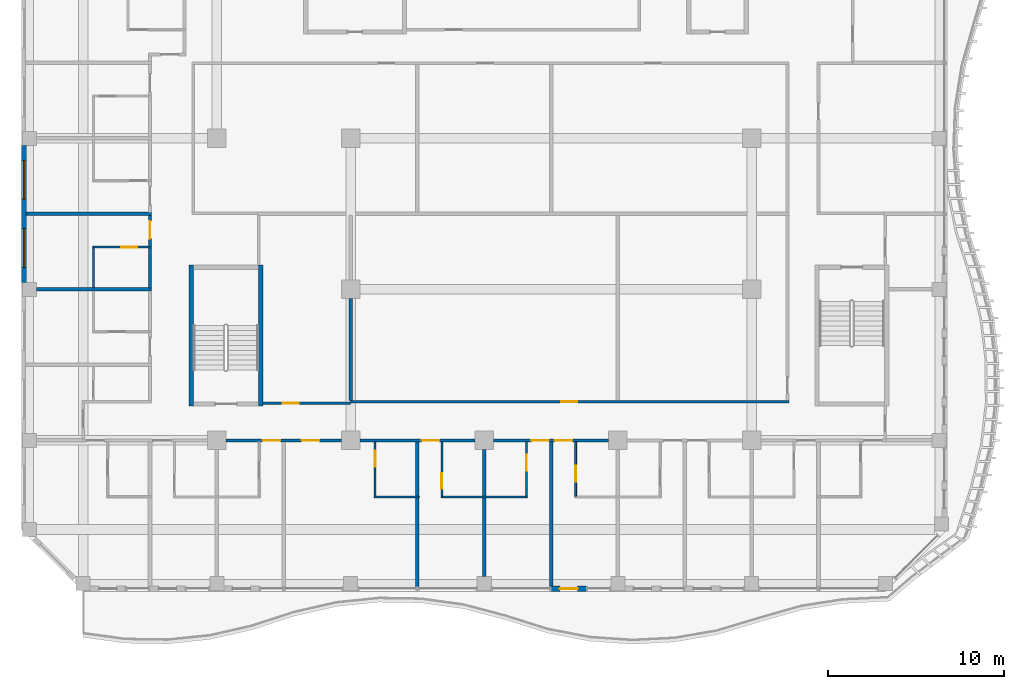
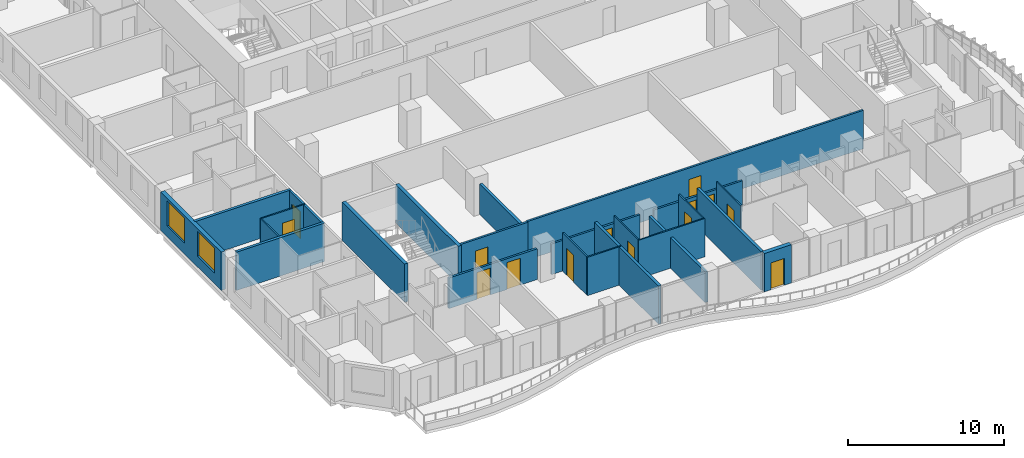
# One storey, part 11 of 24: 27 walls, 14 doors, 2 windows, 16 openings.
"""IFC4 building model written with IfcOpenShell, lengths in metres."""

from ifc_helpers import new_model, si_unit, direction, frame, frame_2d, origin, place, context, subcontext, project, spatial, rectangle, extrude, source, transform, mapped, material, layer, layer_set, type_object, element, fill, save


model = new_model("IFC4")

# Units and contexts
model_context = context("Model", 3, precision=1e-05, world=origin(), true_north=direction((0.0, 1.0)))
body_context = subcontext(model_context, "Body", "Model", "MODEL_VIEW")
ifc_project = project(units=[si_unit("LENGTHUNIT", "METRE"), si_unit("AREAUNIT", "SQUARE_METRE"), si_unit("VOLUMEUNIT", "CUBIC_METRE"), si_unit("PLANEANGLEUNIT", "RADIAN"), si_unit("MASSUNIT", "GRAM", prefix="KILO")], contexts=[model_context])

# Site, building, storey
site_placement = place(None, origin())
site = spatial("IfcSite", under=ifc_project, at=site_placement, CompositionType="ELEMENT")
building_placement = place(site_placement, origin())
building = spatial("IfcBuilding", under=site, at=building_placement, Name="Kilnfold Tower and Market Hall", CompositionType="ELEMENT")
storey_placement = place(building_placement, frame((0.0, 0.0, 192.300048828125)))
storey = spatial("IfcBuildingStorey", under=building, at=storey_placement, Name="L46", CompositionType="ELEMENT", Elevation=192.300048828125)

# Wall, openings, doors
ifc_material_1 = material(Name="Gypsum board on steel studs", Category="steel")
ifc_layer_1 = layer(ifc_material_1, 0.14990234375)
ifc_layer_set_1 = layer_set([ifc_layer_1], Name="Gypsum board on steel studs")
wall_type_1 = type_object("IfcWallType", Name="WALL CORRIDOR 150", PredefinedType="PARTITIONING", material=ifc_layer_set_1)
wall_1_placement = place(storey_placement, frame((-15.64208984375, -17.699951171875, 0.0), z_axis=(0.0, 0.0, 1.0), x_axis=(1.0, 0.0, 0.0)))
wall_1 = element("IfcWall", 1, at=wall_1_placement, inside=storey, type_object=wall_type_1, Name="Partition LY28.2", PredefinedType="PARTITIONING", context=body_context, shape_type="SweptSolid", body=[
    extrude(rectangle(XDim=6.5341796875, YDim=0.14990234375, at=frame_2d((3.26708984375, 0.0))), origin(), (0.0, 0.0, 1.0), 2.39990234375),
])
opening_1_placement = place(wall_1_placement, frame((2.076904296875, 0.0, 0.0)))
opening_1 = element("IfcOpeningElement", 2, at=opening_1_placement, cuts=wall_1, Name="Opening D1", PredefinedType="OPENING", context=body_context, shape_type="SweptSolid", body=[
    extrude(rectangle(XDim=1.0, YDim=2.10009765625, at=frame_2d((0.5, 1.050048828125))), frame((0.0, 0.0849609375, 0.0), z_axis=(0.0, -1.0, 0.0), x_axis=(1.0, 0.0, 0.0)), (0.0, 0.0, 1.0), 0.169921875),
])
opening_2_placement = place(wall_1_placement, frame((4.291015625, 0.0, 0.0)))
opening_2 = element("IfcOpeningElement", 3, at=opening_2_placement, cuts=wall_1, Name="Opening D1", PredefinedType="OPENING", context=body_context, shape_type="SweptSolid", body=[
    extrude(rectangle(XDim=1.0, YDim=2.10009765625, at=frame_2d((0.5, 1.050048828125))), frame((0.0, 0.0849609375, 0.0), z_axis=(0.0, -1.0, 0.0), x_axis=(1.0, 0.0, 0.0)), (0.0, 0.0, 1.0), 0.169921875),
])
ifc_material_2 = material(Name="Timber veneer door leaf in steel frame", Category="steel")
door_type_1 = type_object("IfcDoorType", Name="DOOR ENTRY 1000 X2100", OperationType="NOTDEFINED", PredefinedType="DOOR", material=ifc_material_2)
door_1_placement = place(opening_1_placement, origin())
door_1 = element("IfcDoor", 4, at=door_1_placement, inside=storey, type_object=door_type_1, Name="Door D1", OperationType="SINGLE_SWING_RIGHT", OverallHeight=2.10009765625, OverallWidth=1.0, PredefinedType="DOOR", context=body_context, shape_type="SweptSolid", body=[
    extrude(rectangle(XDim=1.0, YDim=2.10009765625, at=frame_2d((0.5, 1.050048828125))), frame((0.0, 0.02490234375, 0.0), z_axis=(0.0, -1.0, 0.0), x_axis=(1.0, 0.0, 0.0)), (0.0, 0.0, 1.0), 0.050048828125),
])
fill(opening_1, door_1)
door_2_placement = place(opening_2_placement, origin())
door_2 = element("IfcDoor", 5, at=door_2_placement, inside=storey, type_object=door_type_1, Name="Door D1", OperationType="SINGLE_SWING_LEFT", OverallHeight=2.10009765625, OverallWidth=1.0, PredefinedType="DOOR", context=body_context, shape_type="SweptSolid", body=[
    extrude(rectangle(XDim=1.0, YDim=2.10009765625, at=frame_2d((0.5, 1.050048828125))), frame((0.0, 0.02490234375, 0.0), z_axis=(0.0, -1.0, 0.0), x_axis=(1.0, 0.0, 0.0)), (0.0, 0.0, 1.0), 0.050048828125),
])
fill(opening_2, door_2)

# Wall, opening, door
wall_2_placement = place(storey_placement, frame((-8.05810546875, -17.699951171875, 0.0), z_axis=(0.0, 0.0, 1.0), x_axis=(1.0, 0.0, 0.0)))
wall_2 = element("IfcWall", 6, at=wall_2_placement, inside=storey, type_object=wall_type_1, Name="Partition LY28.3", PredefinedType="PARTITIONING", context=body_context, shape_type="SweptSolid", body=[
    extrude(rectangle(XDim=6.533203125, YDim=0.14990234375, at=frame_2d((3.2666015625, 0.0))), origin(), (0.0, 0.0, 1.0), 2.39990234375),
])
opening_3_placement = place(wall_2_placement, frame((3.51806640625, 0.0, 0.0)))
opening_3 = element("IfcOpeningElement", 7, at=opening_3_placement, cuts=wall_2, Name="Opening D1", PredefinedType="OPENING", context=body_context, shape_type="SweptSolid", body=[
    extrude(rectangle(XDim=1.0, YDim=2.10009765625, at=frame_2d((0.5, 1.050048828125))), frame((0.0, 0.0849609375, 0.0), z_axis=(0.0, -1.0, 0.0), x_axis=(1.0, 0.0, 0.0)), (0.0, 0.0, 1.0), 0.169921875),
])
door_3_placement = place(opening_3_placement, origin())
door_3 = element("IfcDoor", 8, at=door_3_placement, inside=storey, type_object=door_type_1, Name="Door D1", OperationType="SINGLE_SWING_RIGHT", OverallHeight=2.10009765625, OverallWidth=1.0, PredefinedType="DOOR", context=body_context, shape_type="SweptSolid", body=[
    extrude(rectangle(XDim=1.0, YDim=2.10009765625, at=frame_2d((0.5, 1.050048828125))), frame((0.0, 0.02490234375, 0.0), z_axis=(0.0, -1.0, 0.0), x_axis=(1.0, 0.0, 0.0)), (0.0, 0.0, 1.0), 0.050048828125),
])
fill(opening_3, door_3)

# Wall, openings, doors
wall_3_placement = place(storey_placement, frame((-0.47509765625, -17.699951171875, 0.0), z_axis=(0.0, 0.0, 1.0), x_axis=(1.0, 0.0, 0.0)))
wall_3 = element("IfcWall", 9, at=wall_3_placement, inside=storey, type_object=wall_type_1, Name="Partition LY28.4", PredefinedType="PARTITIONING", context=body_context, shape_type="SweptSolid", body=[
    extrude(rectangle(XDim=6.533203125, YDim=0.14990234375, at=frame_2d((3.2666015625, 0.0))), origin(), (0.0, 0.0, 1.0), 2.39990234375),
])
opening_4_placement = place(wall_3_placement, frame((2.14697265625, 0.0, 0.0)))
opening_4 = element("IfcOpeningElement", 10, at=opening_4_placement, cuts=wall_3, Name="Opening D1", PredefinedType="OPENING", context=body_context, shape_type="SweptSolid", body=[
    extrude(rectangle(XDim=1.0, YDim=2.10009765625, at=frame_2d((0.5, 1.050048828125))), frame((0.0, 0.0849609375, 0.0), z_axis=(0.0, -1.0, 0.0), x_axis=(1.0, 0.0, 0.0)), (0.0, 0.0, 1.0), 0.169921875),
])
opening_5_placement = place(wall_3_placement, frame((3.468017578125, 0.0, 0.0)))
opening_5 = element("IfcOpeningElement", 11, at=opening_5_placement, cuts=wall_3, Name="Opening D1", PredefinedType="OPENING", context=body_context, shape_type="SweptSolid", body=[
    extrude(rectangle(XDim=1.0, YDim=2.10009765625, at=frame_2d((0.5, 1.050048828125))), frame((0.0, 0.0849609375, 0.0), z_axis=(0.0, -1.0, 0.0), x_axis=(1.0, 0.0, 0.0)), (0.0, 0.0, 1.0), 0.169921875),
])
door_4_placement = place(opening_4_placement, origin())
door_4 = element("IfcDoor", 12, at=door_4_placement, inside=storey, type_object=door_type_1, Name="Door D1", OperationType="SINGLE_SWING_RIGHT", OverallHeight=2.10009765625, OverallWidth=1.0, PredefinedType="DOOR", context=body_context, shape_type="SweptSolid", body=[
    extrude(rectangle(XDim=1.0, YDim=2.10009765625, at=frame_2d((0.5, 1.050048828125))), frame((0.0, 0.02490234375, 0.0), z_axis=(0.0, -1.0, 0.0), x_axis=(1.0, 0.0, 0.0)), (0.0, 0.0, 1.0), 0.050048828125),
])
fill(opening_4, door_4)
door_5_placement = place(opening_5_placement, origin())
door_5 = element("IfcDoor", 13, at=door_5_placement, inside=storey, type_object=door_type_1, Name="Door D1", OperationType="SINGLE_SWING_RIGHT", OverallHeight=2.10009765625, OverallWidth=1.0, PredefinedType="DOOR", context=body_context, shape_type="SweptSolid", body=[
    extrude(rectangle(XDim=1.0, YDim=2.10009765625, at=frame_2d((0.5, 1.050048828125))), frame((0.0, 0.02490234375, 0.0), z_axis=(0.0, -1.0, 0.0), x_axis=(1.0, 0.0, 0.0)), (0.0, 0.0, 1.0), 0.050048828125),
])
fill(opening_5, door_5)

# Wall, opening, door
wall_4_placement = place(storey_placement, frame((-19.958984375, -6.68505859375, 0.0), z_axis=(0.0, 0.0, 1.0), x_axis=(0.0, 1.0, 0.0)))
wall_4 = element("IfcWall", 14, at=wall_4_placement, inside=storey, type_object=wall_type_1, Name="Partition LY28.12", PredefinedType="PARTITIONING", context=body_context, shape_type="SweptSolid", body=[
    extrude(rectangle(XDim=1.751953125, YDim=0.14990234375, at=frame_2d((0.8759765625, 0.0))), origin(), (0.0, 0.0, 1.0), 3.0),
])
opening_6_placement = place(wall_4_placement, frame((0.43505859375, 0.0, 0.0)))
opening_6 = element("IfcOpeningElement", 15, at=opening_6_placement, cuts=wall_4, Name="Opening D1", PredefinedType="OPENING", context=body_context, shape_type="SweptSolid", body=[
    extrude(rectangle(XDim=1.0, YDim=2.10009765625, at=frame_2d((0.5, 1.050048828125))), frame((0.0, 0.0849609375, 0.0), z_axis=(0.0, -1.0, 0.0), x_axis=(1.0, 0.0, 0.0)), (0.0, 0.0, 1.0), 0.169921875),
])
door_6_placement = place(opening_6_placement, origin())
door_6 = element("IfcDoor", 16, at=door_6_placement, inside=storey, type_object=door_type_1, Name="Door D1", OperationType="SINGLE_SWING_RIGHT", OverallHeight=2.10009765625, OverallWidth=1.0, PredefinedType="DOOR", context=body_context, shape_type="SweptSolid", body=[
    extrude(rectangle(XDim=1.0, YDim=2.10009765625, at=frame_2d((0.5, 1.050048828125))), frame((0.0, 0.02490234375, 0.0), z_axis=(0.0, -1.0, 0.0), x_axis=(1.0, 0.0, 0.0)), (0.0, 0.0, 1.0), 0.050048828125),
])
fill(opening_6, door_6)

# Wall
wall_5_placement = place(storey_placement, frame((-19.958984375, -9.034912109375, 0.0), z_axis=(0.0, 0.0, 1.0), x_axis=(0.0, 1.0, 0.0)))
element("IfcWall", 17, at=wall_5_placement, inside=storey, type_object=wall_type_1, Name="Partition LY28.13", PredefinedType="PARTITIONING", context=body_context, shape_type="SweptSolid", body=[
    extrude(rectangle(XDim=2.27001953125, YDim=0.14990234375, at=frame_2d((1.135009765625, 0.0))), origin(), (0.0, 0.0, 1.0), 3.0),
])

# Wall, opening, door
wall_6_placement = place(storey_placement, frame((-8.572998046875, -15.574951171875, 0.0), z_axis=(0.0, 0.0, 1.0), x_axis=(-1.0, 0.0, 0.0)))
wall_6 = element("IfcWall", 18, at=wall_6_placement, inside=storey, type_object=wall_type_1, Name="Partition LY28.47", PredefinedType="PARTITIONING", context=body_context, shape_type="SweptSolid", body=[
    extrude(rectangle(XDim=4.97705078125, YDim=0.14990234375, at=frame_2d((2.488525390625, 0.0))), origin(), (0.0, 0.0, 1.0), 3.0),
])
opening_7_placement = place(wall_6_placement, frame((2.9580078125, 0.0, 0.0)))
opening_7 = element("IfcOpeningElement", 19, at=opening_7_placement, cuts=wall_6, Name="Opening D2", PredefinedType="OPENING", context=body_context, shape_type="SweptSolid", body=[
    extrude(rectangle(XDim=0.89990234375, YDim=2.10009765625, at=frame_2d((0.449951171875, 1.050048828125))), frame((0.0, 0.0849609375, 0.0), z_axis=(0.0, -1.0, 0.0), x_axis=(1.0, 0.0, 0.0)), (0.0, 0.0, 1.0), 0.169921875),
])
ifc_material_3 = material(Name="Timber veneer door leaf in steel frame", Category="steel")
door_type_2 = type_object("IfcDoorType", Name="DOOR ROOM 900 X2100", OperationType="NOTDEFINED", PredefinedType="DOOR", material=ifc_material_3)
door_7_placement = place(opening_7_placement, origin())
door_7 = element("IfcDoor", 20, at=door_7_placement, inside=storey, type_object=door_type_2, Name="Door D2", OperationType="SINGLE_SWING_RIGHT", OverallHeight=2.10009765625, OverallWidth=0.89990234375, PredefinedType="DOOR", context=body_context, shape_type="SweptSolid", body=[
    extrude(rectangle(XDim=0.89990234375, YDim=2.10009765625, at=frame_2d((0.449951171875, 1.050048828125))), frame((0.0, 0.02490234375, 0.0), z_axis=(0.0, -1.0, 0.0), x_axis=(1.0, 0.0, 0.0)), (0.0, 0.0, 1.0), 0.050048828125),
])
fill(opening_7, door_7)

wall_7_placement = place(storey_placement, frame((-8.593017578125, -15.5, 0.0), z_axis=(0.0, 0.0, 1.0), x_axis=(1.0, 0.0, 0.0)))
wall_7 = element("IfcWall", 21, at=wall_7_placement, inside=storey, type_object=wall_type_1, Name="Partition LY28.48", PredefinedType="PARTITIONING", context=body_context, shape_type="SweptSolid", body=[
    extrude(rectangle(XDim=24.867919921875, YDim=0.14990234375, at=frame_2d((12.43408203125, 0.0))), origin(), (0.0, 0.0, 1.0), 3.0),
])
opening_8_placement = place(wall_7_placement, frame((11.972900390625, 0.0, 0.0)))
opening_8 = element("IfcOpeningElement", 22, at=opening_8_placement, cuts=wall_7, Name="Opening D2", PredefinedType="OPENING", context=body_context, shape_type="SweptSolid", body=[
    extrude(rectangle(XDim=0.89990234375, YDim=2.10009765625, at=frame_2d((0.449951171875, 1.050048828125))), frame((0.0, 0.0849609375, 0.0), z_axis=(0.0, -1.0, 0.0), x_axis=(1.0, 0.0, 0.0)), (0.0, 0.0, 1.0), 0.169921875),
])
door_8_placement = place(opening_8_placement, origin())
door_8 = element("IfcDoor", 23, at=door_8_placement, inside=storey, type_object=door_type_2, Name="Door D2", OperationType="SINGLE_SWING_RIGHT", OverallHeight=2.10009765625, OverallWidth=0.89990234375, PredefinedType="DOOR", context=body_context, shape_type="SweptSolid", body=[
    extrude(rectangle(XDim=0.89990234375, YDim=2.10009765625, at=frame_2d((0.449951171875, 1.050048828125))), frame((0.0, 0.02490234375, 0.0), z_axis=(0.0, -1.0, 0.0), x_axis=(1.0, 0.0, 0.0)), (0.0, 0.0, 1.0), 0.050048828125),
])
fill(opening_8, door_8)

ifc_material_4 = material(Name="Gypsum board on steel studs", Category="steel")
ifc_layer_2 = layer(ifc_material_4, 0.10009765625)
ifc_layer_set_2 = layer_set([ifc_layer_2], Name="Gypsum board on steel studs")
wall_type_2 = type_object("IfcWallType", Name="WALL PARTITION 100", PredefinedType="PARTITIONING", material=ifc_layer_set_2)
wall_8_placement = place(storey_placement, frame((-7.19189453125, -20.85205078125, 0.0), z_axis=(0.0, 0.0, 1.0), x_axis=(0.0, 1.0, 0.0)))
wall_8 = element("IfcWall", 24, at=wall_8_placement, inside=storey, type_object=wall_type_2, Name="Partition LY28.61", PredefinedType="PARTITIONING", context=body_context, shape_type="SweptSolid", body=[
    extrude(rectangle(XDim=3.074951171875, YDim=0.10009765625, at=frame_2d((1.53759765625, 0.0))), origin(), (0.0, 0.0, 1.0), 3.0),
])
opening_9_placement = place(wall_8_placement, frame((1.662109375, 0.0, 0.0)))
opening_9 = element("IfcOpeningElement", 25, at=opening_9_placement, cuts=wall_8, Name="Opening D3", PredefinedType="OPENING", context=body_context, shape_type="SweptSolid", body=[
    extrude(rectangle(XDim=0.89990234375, YDim=2.10009765625, at=frame_2d((0.449951171875, 1.050048828125))), frame((0.0, 0.06005859375, 0.0), z_axis=(0.0, -1.0, 0.0), x_axis=(1.0, 0.0, 0.0)), (0.0, 0.0, 1.0), 0.1201171875),
])
ifc_material_5 = material(Name="Timber veneer door leaf in steel frame", Category="steel")
door_type_3 = type_object("IfcDoorType", Name="DOOR WC 900 X2100", OperationType="NOTDEFINED", PredefinedType="DOOR", material=ifc_material_5)
door_9_placement = place(opening_9_placement, origin())
door_9 = element("IfcDoor", 26, at=door_9_placement, inside=storey, type_object=door_type_3, Name="Door D3", OperationType="SINGLE_SWING_LEFT", OverallHeight=2.10009765625, OverallWidth=0.89990234375, PredefinedType="DOOR", context=body_context, shape_type="SweptSolid", body=[
    extrude(rectangle(XDim=0.89990234375, YDim=2.10009765625, at=frame_2d((0.449951171875, 1.050048828125))), frame((0.0, 0.02490234375, 0.0), z_axis=(0.0, -1.0, 0.0), x_axis=(1.0, 0.0, 0.0)), (0.0, 0.0, 1.0), 0.050048828125),
])
fill(opening_9, door_9)

# Wall
wall_9_placement = place(storey_placement, frame((-7.241943359375, -20.902099609375, 0.0), z_axis=(0.0, 0.0, 1.0), x_axis=(1.0, 0.0, 0.0)))
element("IfcWall", 27, at=wall_9_placement, inside=storey, type_object=wall_type_2, Name="Partition LY28.62", PredefinedType="PARTITIONING", context=body_context, shape_type="SweptSolid", body=[
    extrude(rectangle(XDim=2.550048828125, YDim=0.10009765625, at=frame_2d((1.27490234375, 0.0))), origin(), (0.0, 0.0, 1.0), 3.0),
])

# Wall, opening, door
wall_10_placement = place(storey_placement, frame((-3.39990234375, -20.85205078125, 0.0), z_axis=(0.0, 0.0, 1.0), x_axis=(0.0, 1.0, 0.0)))
wall_10 = element("IfcWall", 28, at=wall_10_placement, inside=storey, type_object=wall_type_2, Name="Partition LY28.65", PredefinedType="PARTITIONING", context=body_context, shape_type="SweptSolid", body=[
    extrude(rectangle(XDim=3.074951171875, YDim=0.10009765625, at=frame_2d((1.53759765625, 0.0))), origin(), (0.0, 0.0, 1.0), 3.0),
])
opening_10_placement = place(wall_10_placement, frame((0.408935546875, 0.0, 0.0)))
opening_10 = element("IfcOpeningElement", 29, at=opening_10_placement, cuts=wall_10, Name="Opening D3", PredefinedType="OPENING", context=body_context, shape_type="SweptSolid", body=[
    extrude(rectangle(XDim=0.89990234375, YDim=2.10009765625, at=frame_2d((0.449951171875, 1.050048828125))), frame((0.0, 0.06005859375, 0.0), z_axis=(0.0, -1.0, 0.0), x_axis=(1.0, 0.0, 0.0)), (0.0, 0.0, 1.0), 0.1201171875),
])
door_10_placement = place(opening_10_placement, origin())
door_10 = element("IfcDoor", 30, at=door_10_placement, inside=storey, type_object=door_type_3, Name="Door D3", OperationType="SINGLE_SWING_LEFT", OverallHeight=2.10009765625, OverallWidth=0.89990234375, PredefinedType="DOOR", context=body_context, shape_type="SweptSolid", body=[
    extrude(rectangle(XDim=0.89990234375, YDim=2.10009765625, at=frame_2d((0.449951171875, 1.050048828125))), frame((0.0, 0.02490234375, 0.0), z_axis=(0.0, -1.0, 0.0), x_axis=(1.0, 0.0, 0.0)), (0.0, 0.0, 1.0), 0.050048828125),
])
fill(opening_10, door_10)

# Wall
wall_11_placement = place(storey_placement, frame((-3.449951171875, -20.902099609375, 0.0), z_axis=(0.0, 0.0, 1.0), x_axis=(1.0, 0.0, 0.0)))
element("IfcWall", 31, at=wall_11_placement, inside=storey, type_object=wall_type_2, Name="Partition LY28.66", PredefinedType="PARTITIONING", context=body_context, shape_type="SweptSolid", body=[
    extrude(rectangle(XDim=4.89990234375, YDim=0.10009765625, at=frame_2d((2.449951171875, 0.0))), origin(), (0.0, 0.0, 1.0), 3.0),
])

# Wall, opening, door
wall_12_placement = place(storey_placement, frame((1.39990234375, -17.777099609375, 0.0), z_axis=(0.0, 0.0, 1.0), x_axis=(0.0, -1.0, 0.0)))
wall_12 = element("IfcWall", 32, at=wall_12_placement, inside=storey, type_object=wall_type_2, Name="Partition LY28.69", PredefinedType="PARTITIONING", context=body_context, shape_type="SweptSolid", body=[
    extrude(rectangle(XDim=3.074951171875, YDim=0.10009765625, at=frame_2d((1.53759765625, 0.0))), origin(), (0.0, 0.0, 1.0), 3.0),
])
opening_11_placement = place(wall_12_placement, frame((0.721923828125, 0.0, 0.0)))
opening_11 = element("IfcOpeningElement", 33, at=opening_11_placement, cuts=wall_12, Name="Opening D3", PredefinedType="OPENING", context=body_context, shape_type="SweptSolid", body=[
    extrude(rectangle(XDim=0.89990234375, YDim=2.10009765625, at=frame_2d((0.449951171875, 1.050048828125))), frame((0.0, 0.06005859375, 0.0), z_axis=(0.0, -1.0, 0.0), x_axis=(1.0, 0.0, 0.0)), (0.0, 0.0, 1.0), 0.1201171875),
])
door_11_placement = place(opening_11_placement, origin())
door_11 = element("IfcDoor", 34, at=door_11_placement, inside=storey, type_object=door_type_3, Name="Door D3", OperationType="SINGLE_SWING_RIGHT", OverallHeight=2.10009765625, OverallWidth=0.89990234375, PredefinedType="DOOR", context=body_context, shape_type="SweptSolid", body=[
    extrude(rectangle(XDim=0.89990234375, YDim=2.10009765625, at=frame_2d((0.449951171875, 1.050048828125))), frame((0.0, 0.02490234375, 0.0), z_axis=(0.0, -1.0, 0.0), x_axis=(1.0, 0.0, 0.0)), (0.0, 0.0, 1.0), 0.050048828125),
])
fill(opening_11, door_11)

wall_13_placement = place(storey_placement, frame((4.18310546875, -20.85205078125, 0.0), z_axis=(0.0, 0.0, 1.0), x_axis=(0.0, 1.0, 0.0)))
wall_13 = element("IfcWall", 35, at=wall_13_placement, inside=storey, type_object=wall_type_2, Name="Partition LY28.71", PredefinedType="PARTITIONING", context=body_context, shape_type="SweptSolid", body=[
    extrude(rectangle(XDim=3.074951171875, YDim=0.10009765625, at=frame_2d((1.53759765625, 0.0))), origin(), (0.0, 0.0, 1.0), 3.0),
])
opening_12_placement = place(wall_13_placement, frame((0.825927734375, 0.0, 0.0)))
opening_12 = element("IfcOpeningElement", 36, at=opening_12_placement, cuts=wall_13, Name="Opening D3", PredefinedType="OPENING", context=body_context, shape_type="SweptSolid", body=[
    extrude(rectangle(XDim=0.89990234375, YDim=2.10009765625, at=frame_2d((0.449951171875, 1.050048828125))), frame((0.0, 0.06005859375, 0.0), z_axis=(0.0, -1.0, 0.0), x_axis=(1.0, 0.0, 0.0)), (0.0, 0.0, 1.0), 0.1201171875),
])
door_12_placement = place(opening_12_placement, origin())
door_12 = element("IfcDoor", 37, at=door_12_placement, inside=storey, type_object=door_type_3, Name="Door D3", OperationType="SINGLE_SWING_LEFT", OverallHeight=2.10009765625, OverallWidth=0.89990234375, PredefinedType="DOOR", context=body_context, shape_type="SweptSolid", body=[
    extrude(rectangle(XDim=0.89990234375, YDim=2.10009765625, at=frame_2d((0.449951171875, 1.050048828125))), frame((0.0, 0.02490234375, 0.0), z_axis=(0.0, -1.0, 0.0), x_axis=(1.0, 0.0, 0.0)), (0.0, 0.0, 1.0), 0.050048828125),
])
fill(opening_12, door_12)

wall_14_placement = place(storey_placement, frame((-23.2109375, -6.72509765625, 0.0), z_axis=(0.0, 0.0, 1.0), x_axis=(1.0, 0.0, 0.0)))
wall_14 = element("IfcWall", 38, at=wall_14_placement, inside=storey, type_object=wall_type_2, Name="Partition LY28.92", PredefinedType="PARTITIONING", context=body_context, shape_type="SweptSolid", body=[
    extrude(rectangle(XDim=3.324951171875, YDim=0.10009765625, at=frame_2d((1.66259765625, 0.0))), origin(), (0.0, 0.0, 1.0), 3.0),
])
opening_13_placement = place(wall_14_placement, frame((1.616943359375, 0.0, 0.0)))
opening_13 = element("IfcOpeningElement", 39, at=opening_13_placement, cuts=wall_14, Name="Opening D3", PredefinedType="OPENING", context=body_context, shape_type="SweptSolid", body=[
    extrude(rectangle(XDim=0.89990234375, YDim=2.10009765625, at=frame_2d((0.449951171875, 1.050048828125))), frame((0.0, 0.06005859375, 0.0), z_axis=(0.0, -1.0, 0.0), x_axis=(1.0, 0.0, 0.0)), (0.0, 0.0, 1.0), 0.1201171875),
])
door_13_placement = place(opening_13_placement, origin())
door_13 = element("IfcDoor", 40, at=door_13_placement, inside=storey, type_object=door_type_3, Name="Door D3", OperationType="SINGLE_SWING_LEFT", OverallHeight=2.10009765625, OverallWidth=0.89990234375, PredefinedType="DOOR", context=body_context, shape_type="SweptSolid", body=[
    extrude(rectangle(XDim=0.89990234375, YDim=2.10009765625, at=frame_2d((0.449951171875, 1.050048828125))), frame((0.0, 0.02490234375, 0.0), z_axis=(0.0, -1.0, 0.0), x_axis=(1.0, 0.0, 0.0)), (0.0, 0.0, 1.0), 0.050048828125),
])
fill(opening_13, door_13)

# Walls
wall_15_placement = place(storey_placement, frame((-23.160888671875, -9.02490234375, 0.0), z_axis=(0.0, 0.0, 1.0), x_axis=(0.0, 1.0, 0.0)))
element("IfcWall", 41, at=wall_15_placement, inside=storey, type_object=wall_type_2, Name="Partition LY28.93", PredefinedType="PARTITIONING", context=body_context, shape_type="SweptSolid", body=[
    extrude(rectangle(XDim=2.25, YDim=0.10009765625, at=frame_2d((1.125, 0.0))), origin(), (0.0, 0.0, 1.0), 3.0),
])
ifc_material_6 = material(Name="Gypsum board on steel studs", Category="steel")
ifc_layer_3 = layer(ifc_material_6, 0.199951171875)
ifc_layer_set_3 = layer_set([ifc_layer_3], Name="Gypsum board on steel studs")
wall_type_3 = type_object("IfcWallType", Name="WALL PARTY 200", PredefinedType="PARTITIONING", material=ifc_layer_set_3)
wall_16_placement = place(storey_placement, frame((-4.7919921875, -26.0, 0.0), z_axis=(0.0, 0.0, 1.0), x_axis=(0.0, 1.0, 0.0)))
element("IfcWall", 42, at=wall_16_placement, inside=storey, type_object=wall_type_3, Name="Partition LY28.63", PredefinedType="PARTITIONING", context=body_context, shape_type="SweptSolid", body=[
    extrude(rectangle(XDim=5.048095703125, YDim=0.199951171875, at=frame_2d((2.52392578125, 0.0))), origin(), (0.0, 0.0, 1.0), 3.0),
])
wall_17_placement = place(storey_placement, frame((-4.7919921875, -20.85205078125, 0.0), z_axis=(0.0, 0.0, 1.0), x_axis=(0.0, 1.0, 0.0)))
element("IfcWall", 43, at=wall_17_placement, inside=storey, type_object=wall_type_3, Name="Partition LY28.64", PredefinedType="PARTITIONING", context=body_context, shape_type="SweptSolid", body=[
    extrude(rectangle(XDim=3.074951171875, YDim=0.199951171875, at=frame_2d((1.53759765625, 0.0))), origin(), (0.0, 0.0, 1.0), 3.0),
])
wall_18_placement = place(storey_placement, frame((-1.0, -25.39990234375, 0.0), z_axis=(0.0, 0.0, 1.0), x_axis=(0.0, 1.0, 0.0)))
element("IfcWall", 44, at=wall_18_placement, inside=storey, type_object=wall_type_3, Name="Partition LY28.67", PredefinedType="PARTITIONING", context=body_context, shape_type="SweptSolid", body=[
    extrude(rectangle(XDim=4.447998046875, YDim=0.199951171875, at=frame_2d((2.22412109375, 0.0))), origin(), (0.0, 0.0, 1.0), 2.39990234375),
])
wall_19_placement = place(storey_placement, frame((-1.0, -20.85205078125, 0.0), z_axis=(0.0, 0.0, 1.0), x_axis=(0.0, 1.0, 0.0)))
element("IfcWall", 45, at=wall_19_placement, inside=storey, type_object=wall_type_3, Name="Partition LY28.68", PredefinedType="PARTITIONING", context=body_context, shape_type="SweptSolid", body=[
    extrude(rectangle(XDim=2.64013671875, YDim=0.199951171875, at=frame_2d((1.320068359375, 0.0))), origin(), (0.0, 0.0, 1.0), 2.39990234375),
])
wall_20_placement = place(storey_placement, frame((2.7919921875, -26.0, 0.0), z_axis=(0.0, 0.0, 1.0), x_axis=(0.0, 1.0, 0.0)))
element("IfcWall", 46, at=wall_20_placement, inside=storey, type_object=wall_type_3, Name="Partition LY28.70", PredefinedType="PARTITIONING", context=body_context, shape_type="SweptSolid", body=[
    extrude(rectangle(XDim=8.222900390625, YDim=0.199951171875, at=frame_2d((4.111328125, 0.0))), origin(), (0.0, 0.0, 1.0), 3.0),
])
wall_21_placement = place(storey_placement, frame((-26.39990234375, -9.125, 0.0), z_axis=(0.0, 0.0, 1.0), x_axis=(1.0, 0.0, 0.0)))
element("IfcWall", 47, at=wall_21_placement, inside=storey, type_object=wall_type_3, Name="Partition LY28.91", PredefinedType="PARTITIONING", context=body_context, shape_type="SweptSolid", body=[
    extrude(rectangle(XDim=6.513916015625, YDim=0.199951171875, at=frame_2d((3.2568359375, 0.0))), origin(), (0.0, 0.0, 1.0), 3.0),
])
wall_22_placement = place(storey_placement, frame((-27.0, -4.843017578125, 0.0), z_axis=(0.0, 0.0, 1.0), x_axis=(1.0, 0.0, 0.0)))
element("IfcWall", 48, at=wall_22_placement, inside=storey, type_object=wall_type_3, Name="Partition LY28.94", PredefinedType="PARTITIONING", context=body_context, shape_type="SweptSolid", body=[
    extrude(rectangle(XDim=7.114013671875, YDim=0.199951171875, at=frame_2d((3.55712890625, 0.0))), origin(), (0.0, 0.0, 1.0), 3.0),
])
wall_23_placement = place(storey_placement, frame((-8.5830078125, -15.423095703125, 0.0), z_axis=(0.0, 0.0, 1.0), x_axis=(0.0, 1.0, 0.0)))
element("IfcWall", 49, at=wall_23_placement, inside=storey, type_object=wall_type_3, Name="Partition LY28.126", PredefinedType="PARTITIONING", context=body_context, shape_type="SweptSolid", body=[
    extrude(rectangle(XDim=5.773193359375, YDim=0.199951171875, at=frame_2d((2.88671875, 0.0))), origin(), (0.0, 0.0, 1.0), 2.39990234375),
])
ifc_material_7 = material(Name="Concrete C60", Category="concrete")
ifc_layer_4 = layer(ifc_material_7, 0.25)
ifc_layer_set_4 = layer_set([ifc_layer_4], Name="Concrete C60")
wall_type_4 = type_object("IfcWallType", Name="CORE WALL 250 C60", PredefinedType="SHEAR", material=ifc_layer_set_4)
shared_shape_1 = source(origin(), body_context, "Body", "SweptSolid", [
    extrude(rectangle(XDim=8.0, YDim=0.25, at=frame_2d((4.0, 0.0))), origin(), (0.0, 0.0, 1.0), 3.0),
])
for number, where, z_axis, x_axis, name in (
    (50, (-17.625, -15.75, 0.0), (0.0, 0.0, 1.0), (0.0, 1.0, 0.0), "Stair enclosure ST3"),
    (51, (-13.675048828125, -15.75, 0.0), (0.0, 0.0, 1.0), (0.0, 1.0, 0.0), "Stair enclosure ST3"),
):
    element("IfcWall", number, at=place(storey_placement, frame(where, z_axis=z_axis, x_axis=x_axis)), inside=storey, type_object=wall_type_4, Name=name, PredefinedType="SHEAR", context=body_context, shape_type="MappedRepresentation", body=[
        mapped(shared_shape_1, transform((0.0, 0.0, 0.0))),
    ])

# Wall, opening, door
ifc_material_8 = material(Name="Precast concrete C50/60", Category="concrete")
ifc_layer_5 = layer(ifc_material_8, 0.300048828125)
ifc_layer_set_5 = layer_set([ifc_layer_5], Name="Precast concrete C50/60")
wall_type_5 = type_object("IfcWallType", Name="PRECAST WALL 300", PredefinedType="SOLIDWALL", material=ifc_layer_set_5)
shared_shape_2 = source(origin(), body_context, "Body", "SweptSolid", [
    extrude(rectangle(XDim=2.0, YDim=0.300048828125, at=frame_2d((1.0, 0.0))), origin(), (0.0, 0.0, 1.0), 3.0),
])
wall_24_placement = place(storey_placement, frame((2.79150390625, -26.10009765625, 0.0), z_axis=(0.0, 0.0, 1.0), x_axis=(1.0, 0.0, 0.0)))
wall_24 = element("IfcWall", 52, at=wall_24_placement, inside=storey, type_object=wall_type_5, Name="External wall L46 S", PredefinedType="SOLIDWALL", context=body_context, shape_type="MappedRepresentation", body=[
    mapped(shared_shape_2, transform((0.0, 0.0, 0.0))),
])
opening_14_placement = place(wall_24_placement, frame((0.5, 0.0, 0.0)))
opening_14 = element("IfcOpeningElement", 53, at=opening_14_placement, cuts=wall_24, Name="Opening BD1", PredefinedType="OPENING", context=body_context, shape_type="SweptSolid", body=[
    extrude(rectangle(XDim=1.0, YDim=2.10009765625, at=frame_2d((0.5, 1.050048828125))), frame((0.0, 0.16015625, 0.0), z_axis=(0.0, -1.0, 0.0), x_axis=(1.0, 0.0, 0.0)), (0.0, 0.0, 1.0), 0.320068359375),
])
ifc_material_9 = material(Name="Aluminium frame and double glazing", Category="aluminium")
door_type_4 = type_object("IfcDoorType", Name="BALCONY DOOR 1000X2100", OperationType="NOTDEFINED", PredefinedType="DOOR", material=ifc_material_9)
door_14_placement = place(opening_14_placement, origin())
door_14 = element("IfcDoor", 54, at=door_14_placement, inside=storey, type_object=door_type_4, Name="Balcony door BD1 L46 S-2", OperationType="SINGLE_SWING_RIGHT", OverallHeight=2.10009765625, OverallWidth=1.0, PredefinedType="DOOR", context=body_context, shape_type="SweptSolid", body=[
    extrude(rectangle(XDim=1.0, YDim=2.10009765625, at=frame_2d((0.5, 1.050048828125))), frame((0.0, 0.02490234375, 0.0), z_axis=(0.0, -1.0, 0.0), x_axis=(1.0, 0.0, 0.0)), (0.0, 0.0, 1.0), 0.050048828125),
])
fill(opening_14, door_14)

# Wall, openings, windows
shared_shape_3 = source(origin(), body_context, "Body", "SweptSolid", [
    extrude(rectangle(XDim=7.7626953125, YDim=0.300048828125, at=frame_2d((3.88134765625, 0.0))), origin(), (0.0, 0.0, 1.0), 3.0),
])
wall_25_placement = place(storey_placement, frame((-27.10009765625, -0.96240234375, 0.0), z_axis=(0.0, 0.0, 1.0), x_axis=(0.0, -1.0, 0.0)))
wall_25 = element("IfcWall", 55, at=wall_25_placement, inside=storey, type_object=wall_type_5, Name="External wall L46 W", PredefinedType="SOLIDWALL", context=body_context, shape_type="MappedRepresentation", body=[
    mapped(shared_shape_3, transform((0.0, 0.0, 0.0))),
])
opening_15_placement = place(wall_25_placement, frame((0.8408203125, 0.0, 0.85009765625)))
opening_15 = element("IfcOpeningElement", 56, at=opening_15_placement, cuts=wall_25, Name="Opening W2", PredefinedType="OPENING", context=body_context, shape_type="SweptSolid", body=[
    extrude(rectangle(XDim=2.199951171875, YDim=1.949951171875, at=frame_2d((1.10009765625, 0.97509765625))), frame((0.0, 0.16015625, 0.0), z_axis=(0.0, -1.0, 0.0), x_axis=(1.0, 0.0, 0.0)), (0.0, 0.0, 1.0), 0.320068359375),
])
opening_16_placement = place(wall_25_placement, frame((4.721923828125, 0.0, 0.85009765625)))
opening_16 = element("IfcOpeningElement", 57, at=opening_16_placement, cuts=wall_25, Name="Opening W2", PredefinedType="OPENING", context=body_context, shape_type="SweptSolid", body=[
    extrude(rectangle(XDim=2.199951171875, YDim=1.949951171875, at=frame_2d((1.10009765625, 0.97509765625))), frame((0.0, 0.16015625, 0.0), z_axis=(0.0, -1.0, 0.0), x_axis=(1.0, 0.0, 0.0)), (0.0, 0.0, 1.0), 0.320068359375),
])
ifc_material_10 = material(Name="Aluminium frame and double glazing", Category="aluminium")
window_type = type_object("IfcWindowType", Name="WINDOW W2 2200X1950", PartitioningType="SINGLE_PANEL", PredefinedType="WINDOW", material=ifc_material_10)
window_1_placement = place(opening_15_placement, origin())
window_1 = element("IfcWindow", 58, at=window_1_placement, inside=storey, type_object=window_type, Name="Window W2 L46 W-1", OverallHeight=1.949951171875, OverallWidth=2.199951171875, PartitioningType="SINGLE_PANEL", PredefinedType="WINDOW", context=body_context, shape_type="SweptSolid", body=[
    extrude(rectangle(XDim=2.199951171875, YDim=1.949951171875, at=frame_2d((1.10009765625, 0.97509765625))), frame((0.0, 0.030029296875, 0.0), z_axis=(0.0, -1.0, 0.0), x_axis=(1.0, 0.0, 0.0)), (0.0, 0.0, 1.0), 0.06005859375),
])
fill(opening_15, window_1)
window_2_placement = place(opening_16_placement, origin())
window_2 = element("IfcWindow", 59, at=window_2_placement, inside=storey, type_object=window_type, Name="Window W2 L46 W-2", OverallHeight=1.949951171875, OverallWidth=2.199951171875, PartitioningType="SINGLE_PANEL", PredefinedType="WINDOW", context=body_context, shape_type="SweptSolid", body=[
    extrude(rectangle(XDim=2.199951171875, YDim=1.949951171875, at=frame_2d((1.10009765625, 0.97509765625))), frame((0.0, 0.030029296875, 0.0), z_axis=(0.0, -1.0, 0.0), x_axis=(1.0, 0.0, 0.0)), (0.0, 0.0, 1.0), 0.06005859375),
])
fill(opening_16, window_2)

save(model, "model.ifc")
